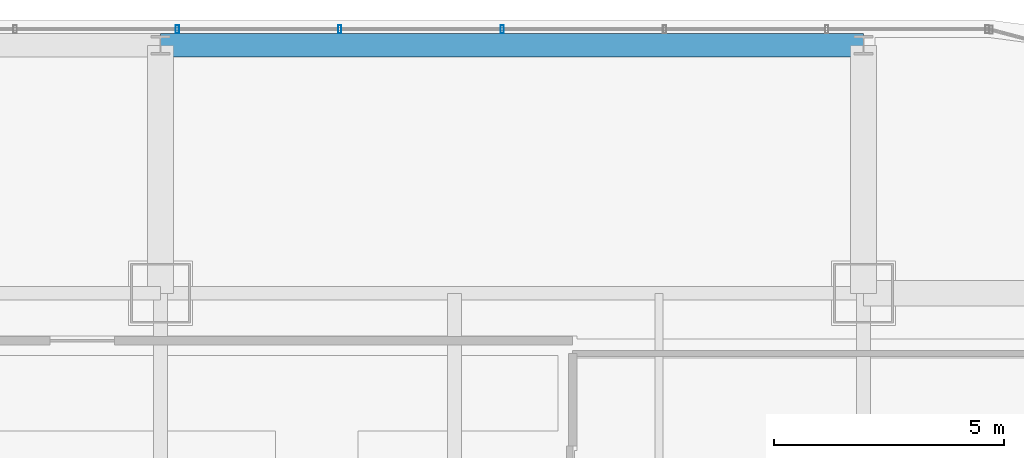
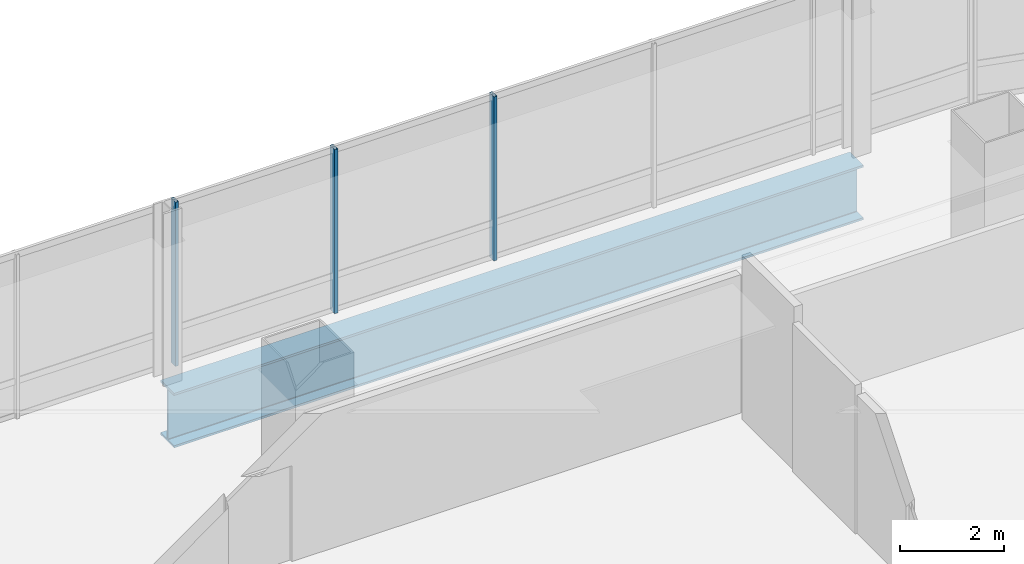
# One storey, part 29 of 42: 3 members, 1 beam, 1 element without a shape of its own.
"""IFC4 building model written with IfcOpenShell, lengths in metres."""

from ifc_helpers import new_model, si_unit, direction, frame, origin, origin_2d, place, context, subcontext, project, spatial, hollow_rectangle, i_section, extrude, material, material_profile, profile_set, type_object, element, aggregate, save


model = new_model("IFC4")

# Units and contexts
model_context = context("Model", 3, precision=1e-05, world=origin(), true_north=direction((0.0, 1.0)))
body_context = subcontext(model_context, "Body", "Model", "MODEL_VIEW")
ifc_project = project(units=[si_unit("LENGTHUNIT", "METRE"), si_unit("AREAUNIT", "SQUARE_METRE"), si_unit("VOLUMEUNIT", "CUBIC_METRE"), si_unit("PLANEANGLEUNIT", "RADIAN"), si_unit("MASSUNIT", "GRAM", prefix="KILO")], contexts=[model_context])

# Site, building, storey
site_placement = place(None, origin())
site = spatial("IfcSite", under=ifc_project, at=site_placement, CompositionType="ELEMENT")
building_placement = place(site_placement, origin())
building = spatial("IfcBuilding", under=site, at=building_placement, Name="Punatoya Terracotta Tower", CompositionType="ELEMENT")
storey_placement = place(building_placement, frame((0.0, 0.0, 255.449951171875)))
storey = spatial("IfcBuildingStorey", under=building, at=storey_placement, Name="L60", CompositionType="ELEMENT", Elevation=255.449951171875)

# Beam
ifc_material_1 = material(Name="Steel S460", Category="steel")
ifc_material_profile_1 = material_profile(ifc_material_1, i_section(OverallWidth=0.52001953125, OverallDepth=1.280029296875, WebThickness=0.031982421875, FlangeThickness=0.050048828125, FilletRadius=0.01806640625, at=origin_2d()))
ifc_profile_set_1 = profile_set([ifc_material_profile_1], Name="Steel S460")
beam_type = type_object("IfcBeamType", Name="BM-TG-NCK", PredefinedType="BEAM", material=ifc_profile_set_1)
beam_placement = place(storey_placement, frame((3.800048828125, 22.89990234375, -0.83984375), z_axis=(1.0, 0.0, 0.0), x_axis=(0.0, 1.0, 0.0)))
element("IfcBeam", 1, at=beam_placement, inside=storey, type_object=beam_type, Name="BM-L60-PER-N3", PredefinedType="BEAM", context=body_context, shape_type="SweptSolid", body=[
    extrude(i_section(OverallWidth=0.52001953125, OverallDepth=1.280029296875, WebThickness=0.031982421875, FlangeThickness=0.050048828125, FilletRadius=0.01806640625, at=origin_2d()), origin(), (0.0, 0.0, 1.0), 15.300048828125),
])

# Curtain wall, members
ifc_material_2 = material(Name="Aluminium 6063-T6 + Double Low-E Glass", Category="aluminium")
curtain_wall_type = type_object("IfcCurtainWallType", Name="CW-M3", PredefinedType="NOTDEFINED", material=ifc_material_2)
curtain_wall_placement = place(storey_placement, origin())
curtain_wall = element("IfcCurtainWall", 2, at=curtain_wall_placement, inside=storey, type_object=curtain_wall_type, Name="L60 Curtain Wall CW-L60-N09-1", PredefinedType="NOTDEFINED")
ifc_material_3 = material(Name="Aluminium 6063-T6", Category="aluminium")
ifc_material_profile_2 = material_profile(ifc_material_3, hollow_rectangle(XDim=0.070068359375, YDim=0.179931640625, WallThickness=0.00390625, at=origin_2d()))
ifc_profile_set_2 = profile_set([ifc_material_profile_2], Name="Aluminium 6063-T6")
member_type = type_object("IfcMemberType", Name="CW-MUL-M3", PredefinedType="MULLION", material=ifc_profile_set_2)
member_1_placement = place(storey_placement, frame((11.235107421875, 23.25, 0.0), z_axis=(0.0, 0.0, 1.0), x_axis=(1.0, 0.0, 0.0)))
member_1 = element("IfcMember", 3, at=member_1_placement, type_object=member_type, Name="CW-L60-N09-1 Mullion 03", PredefinedType="MULLION", context=body_context, shape_type="SweptSolid", body=[
    extrude(hollow_rectangle(XDim=0.070068359375, YDim=0.179931640625, WallThickness=0.00390625, at=origin_2d()), origin(), (0.0, 0.0, 1.0), 3.85009765625),
])
member_2_placement = place(storey_placement, frame((7.700927734375, 23.25, 0.0), z_axis=(0.0, 0.0, 1.0), x_axis=(1.0, 0.0, 0.0)))
member_2 = element("IfcMember", 4, at=member_2_placement, type_object=member_type, Name="CW-L60-N09-1 Mullion 04", PredefinedType="MULLION", context=body_context, shape_type="SweptSolid", body=[
    extrude(hollow_rectangle(XDim=0.070068359375, YDim=0.179931640625, WallThickness=0.00390625, at=origin_2d()), origin(), (0.0, 0.0, 1.0), 3.85009765625),
])
member_3_placement = place(storey_placement, frame((4.1669921875, 23.25, 0.0), z_axis=(0.0, 0.0, 1.0), x_axis=(1.0, 0.0, 0.0)))
member_3 = element("IfcMember", 5, at=member_3_placement, type_object=member_type, Name="CW-L60-N09-1 Mullion 05", PredefinedType="MULLION", context=body_context, shape_type="SweptSolid", body=[
    extrude(hollow_rectangle(XDim=0.070068359375, YDim=0.179931640625, WallThickness=0.00390625, at=origin_2d()), origin(), (0.0, 0.0, 1.0), 3.85009765625),
])
aggregate(curtain_wall, [member_1, member_2, member_3])

save(model, "model.ifc")
